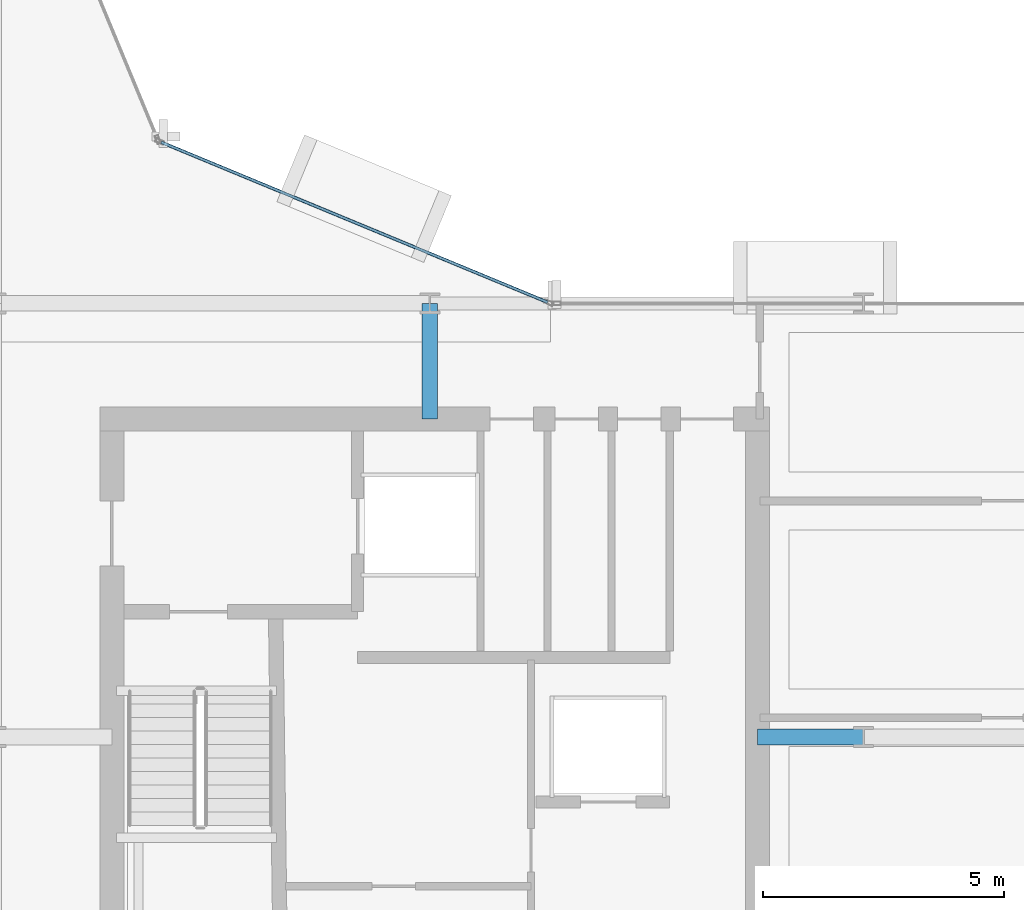
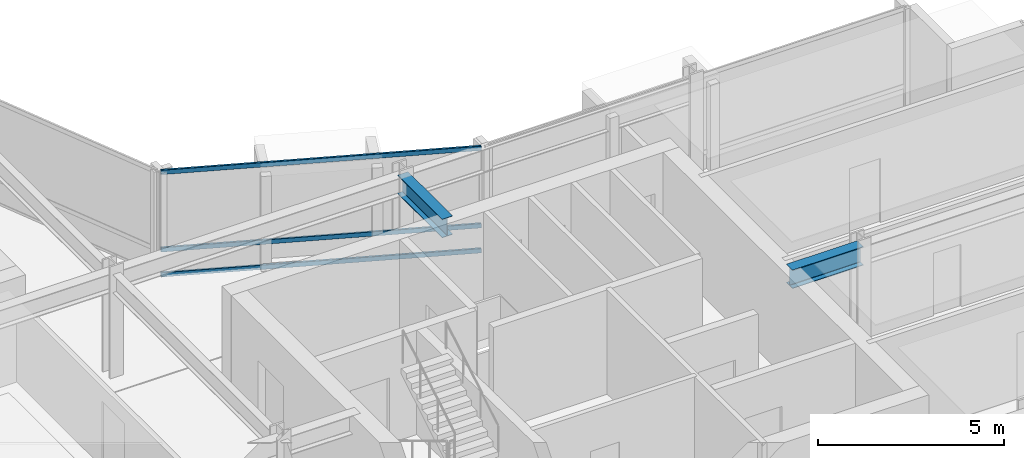
# One storey, part 12 of 29: 3 members, 2 beams, 1 element without a shape of its own.
"""IFC4 building model written with IfcOpenShell, lengths in metres."""

import ifcopenshell
import ifcopenshell.guid

model = None  # the IFC model being written
_history = None  # IfcOwnerHistory: only IFC2X3 demands one
_inside = {}  # id of a spatial element -> (the spatial element, [elements in it])
_under = {}  # id of a project, library or spatial element -> (it, [spatial elements below it])
_declared = {}  # id of a project -> (the project, [libraries it declares])
_typed = {}  # id of a type object -> (the type object, [elements of that type])
_made_of = {}  # id of a material, layer set ... -> (it, [elements and type objects made of it])


def new_model(schema):
    """Start an empty IFC model of exactly this schema.

    Asked for "IFC4X3", IfcOpenShell would pick the latest addendum, in which some entities
    have other attributes; the version numbers below select the first issue.
    IFC2X3 requires an IfcOwnerHistory on every rooted entity: one is made here for all.
    """
    global model, _history
    if schema == "IFC4X3":
        model = ifcopenshell.file(schema_version=(4, 3, 0, 0))
    else:
        model = ifcopenshell.file(schema=schema)
    _inside.clear()
    _under.clear()
    _declared.clear()
    _typed.clear()
    _made_of.clear()
    _history = None
    if model.schema == "IFC2X3":
        org = make("IfcOrganization", Name="unknown")
        user = make(
            "IfcPersonAndOrganization",
            ThePerson=make("IfcPerson", FamilyName="unknown"),
            TheOrganization=org,
        )
        app = make(
            "IfcApplication",
            ApplicationDeveloper=org,
            Version="unknown",
            ApplicationFullName="unknown",
            ApplicationIdentifier="unknown",
        )
        _history = make(
            "IfcOwnerHistory",
            OwningUser=user,
            OwningApplication=app,
            ChangeAction="ADDED",
            CreationDate=0,
        )
    return model


def make(cls, **values):
    """One entity of the class cls with the attributes given. An attribute that is None is left unset."""
    return model.create_entity(
        cls, **{name: value for name, value in values.items() if value is not None}
    )


def rooted(cls, **values):
    """An entity with a GlobalId (a new one), such as an element, a storey or a relation."""
    return make(cls, GlobalId=ifcopenshell.guid.new(), OwnerHistory=_history, **values)


def si_unit(unit_type, name, prefix=None):
    """IfcSIUnit, for example si_unit("LENGTHUNIT", "METRE", prefix="MILLI")."""
    return make("IfcSIUnit", UnitType=unit_type, Prefix=prefix, Name=name)


def assignment(units):
    """IfcUnitAssignment: the units of a project."""
    return None if units is None else make("IfcUnitAssignment", Units=units)


def point(xyz):
    """IfcCartesianPoint."""
    return None if xyz is None else make("IfcCartesianPoint", Coordinates=xyz)


def direction(xyz):
    """IfcDirection."""
    return None if xyz is None else make("IfcDirection", DirectionRatios=xyz)


def frame(location, z_axis=None, x_axis=None):
    """IfcAxis2Placement3D, a coordinate frame: its origin and axes. An axis left out is left unset."""
    return make(
        "IfcAxis2Placement3D",
        Location=point(location),
        Axis=direction(z_axis),
        RefDirection=direction(x_axis),
    )


def frame_2d(location, x_axis=None):
    """IfcAxis2Placement2D, a coordinate frame in the plane: its origin and x axis."""
    return make(
        "IfcAxis2Placement2D", Location=point(location), RefDirection=direction(x_axis)
    )


def origin():
    """The frame at (0, 0, 0) with its axes left unset."""
    return frame((0.0, 0.0, 0.0))


def origin_2d():
    """The frame at (0, 0) in the plane with its x axis left unset."""
    return frame_2d((0.0, 0.0))


def place(relative_to, where):
    """IfcLocalPlacement: puts the frame where relative to a parent placement (None: the world)."""
    return make(
        "IfcLocalPlacement", PlacementRelTo=relative_to, RelativePlacement=where
    )


def context(
    kind, dimensions, precision=None, world=None, true_north=None, identifier=None
):
    """IfcGeometricRepresentationContext, for example the 3D "Model" context."""
    return make(
        "IfcGeometricRepresentationContext",
        ContextIdentifier=identifier,
        ContextType=kind,
        CoordinateSpaceDimension=dimensions,
        Precision=precision,
        WorldCoordinateSystem=world,
        TrueNorth=true_north,
    )


def subcontext(parent, identifier, kind, view, scale=None):
    """IfcGeometricRepresentationSubContext, for example "Body" below "Model"."""
    return make(
        "IfcGeometricRepresentationSubContext",
        ContextIdentifier=identifier,
        ContextType=kind,
        ParentContext=parent,
        TargetScale=scale,
        TargetView=view,
    )


def project(units=None, contexts=None):
    """IfcProject with its units and contexts."""
    return rooted(
        "IfcProject",
        Name="project",
        RepresentationContexts=contexts,
        UnitsInContext=assignment(units),
    )


def spatial(cls, under=None, at=None, **own):
    """A site, building, storey or space (cls), placed at a placement, below another one or the project."""
    s = rooted(cls, ObjectPlacement=at, **own)
    if under is not None:
        _under.setdefault(under.id(), (under, []))[1].append(s)
    return s


def profile(cls, at=None, kind="AREA", **sizes):
    """A parametric profile (cls). Its sizes go by their IFC names, for example OverallWidth=200.0."""
    return make(cls, ProfileType=kind, Position=at, **sizes)


def hollow_rectangle(**sizes):
    """IfcRectangleHollowProfileDef."""
    return profile("IfcRectangleHollowProfileDef", **sizes)


def i_section(**sizes):
    """IfcIShapeProfileDef."""
    return profile("IfcIShapeProfileDef", **sizes)


def extrude(swept, where, along, depth):
    """IfcExtrudedAreaSolid: the profile swept, set in the frame where, extruded along a direction by depth."""
    return make(
        "IfcExtrudedAreaSolid",
        SweptArea=swept,
        Position=where,
        ExtrudedDirection=direction(along),
        Depth=depth,
    )


def shape(context_of_items, identifier, shape_type, items):
    """IfcShapeRepresentation: the items that make up one representation, for example the "Body"."""
    return make(
        "IfcShapeRepresentation",
        ContextOfItems=context_of_items,
        RepresentationIdentifier=identifier,
        RepresentationType=shape_type,
        Items=items,
    )


def material(Name=None, Category=None):
    """IfcMaterial."""
    return make("IfcMaterial", Name=Name, Category=Category)


def layer(
    of_material, thickness, ventilated=None, Name=None, Category=None, Priority=None
):
    """IfcMaterialLayer: one layer of a wall or slab, of a material (None: an air gap)."""
    return make(
        "IfcMaterialLayer",
        Material=of_material,
        LayerThickness=thickness,
        IsVentilated=ventilated,
        Name=Name,
        Category=Category,
        Priority=Priority,
    )


def layer_set(layers, Name=None):
    """IfcMaterialLayerSet."""
    return make("IfcMaterialLayerSet", MaterialLayers=layers, LayerSetName=Name)


def material_profile(
    of_material, cross_section, Name=None, Category=None, Priority=None
):
    """IfcMaterialProfile: a cross section and its material."""
    return make(
        "IfcMaterialProfile",
        Name=Name,
        Material=of_material,
        Profile=cross_section,
        Priority=Priority,
        Category=Category,
    )


def profile_set(profiles, Name=None, composite=None):
    """IfcMaterialProfileSet."""
    return make(
        "IfcMaterialProfileSet",
        Name=Name,
        MaterialProfiles=profiles,
        CompositeProfile=composite,
    )


def made_of(thing, what):
    """Note that an element or type object is made of a material, layer set ...; save() writes the relation."""
    if what is not None:
        _made_of.setdefault(what.id(), (what, []))[1].append(thing)
    return thing


def type_object(cls, material=None, **own):
    """A type object (cls), such as IfcWallType, which elements share."""
    return made_of(rooted(cls, **own), material)


def element(
    cls,
    number,
    at=None,
    inside=None,
    cuts=None,
    type_object=None,
    material=None,
    context=None,
    identifier="Body",
    shape_type=None,
    held_by="IfcProductDefinitionShape",
    body=None,
    shapes=None,
    **own,
):
    """One element of the class cls, such as IfcWall. Its Tag is "e" and its number.

    at: its placement. inside: the storey or other place that contains it. cuts: it is an
    opening in that element (IfcRelVoidsElement). A single representation is given by context,
    identifier, shape_type and body (its items); several are given by shapes. held_by: the class
    of the entity that holds the representations. save() writes the other relations.
    """
    e = rooted(cls, Tag="e%d" % number, ObjectPlacement=at, **own)
    if body is not None:
        shapes = [shape(context, identifier, shape_type, body)]
    if shapes is not None:
        e.Representation = make(held_by, Representations=shapes)
    if inside is not None:
        _inside.setdefault(inside.id(), (inside, []))[1].append(e)
    if cuts is not None:
        rooted(
            "IfcRelVoidsElement", RelatingBuildingElement=cuts, RelatedOpeningElement=e
        )
    if type_object is not None:
        _typed.setdefault(type_object.id(), (type_object, []))[1].append(e)
    return made_of(e, material)


def aggregate(whole, parts):
    """IfcRelAggregates: a whole, such as a stair, and the parts it consists of."""
    return rooted("IfcRelAggregates", RelatingObject=whole, RelatedObjects=parts)


def save(model, path):
    """Write the relations noted so far, then the file.

    IfcRelAggregates (storeys below a building ...), IfcRelContainedInSpatialStructure (elements
    in a storey), IfcRelDefinesByType, IfcRelAssociatesMaterial and IfcRelDeclares: one each for
    every whole, place, type object, material and project.
    """
    for whole, parts in _under.values():
        aggregate(whole, parts)
    for where, things in _inside.values():
        rooted(
            "IfcRelContainedInSpatialStructure",
            RelatedElements=things,
            RelatingStructure=where,
        )
    for kind, things in _typed.values():
        rooted("IfcRelDefinesByType", RelatedObjects=things, RelatingType=kind)
    for what, things in _made_of.values():
        rooted("IfcRelAssociatesMaterial", RelatedObjects=things, RelatingMaterial=what)
    for by, libraries in _declared.values():
        rooted("IfcRelDeclares", RelatingContext=by, RelatedDefinitions=libraries)
    model.write(path)


model = new_model("IFC4")

# Units and contexts
model_context = context("Model", 3, precision=1e-05, world=origin(), true_north=direction((0.0, 1.0)))
body_context = subcontext(model_context, "Body", "Model", "MODEL_VIEW")
ifc_project = project(units=[si_unit("LENGTHUNIT", "METRE"), si_unit("AREAUNIT", "SQUARE_METRE"), si_unit("VOLUMEUNIT", "CUBIC_METRE"), si_unit("PLANEANGLEUNIT", "RADIAN"), si_unit("MASSUNIT", "GRAM", prefix="KILO")], contexts=[model_context])

# Site, building, storey
site_placement = place(None, origin())
site = spatial("IfcSite", under=ifc_project, at=site_placement, CompositionType="ELEMENT")
building_placement = place(site_placement, origin())
building = spatial("IfcBuilding", under=site, at=building_placement, Name="Solvaryn Broadcast Tower", CompositionType="ELEMENT")
storey_placement = place(building_placement, frame((0.0, 0.0, 147.0)))
storey = spatial("IfcBuildingStorey", under=building, at=storey_placement, Name="L36", CompositionType="ELEMENT", Elevation=147.0)

# Beams
ifc_material_1 = material(Name="Steel ASTM A992 Grade 50", Category="steel")
ifc_material_profile_1 = material_profile(ifc_material_1, i_section(OverallWidth=0.323974609375, OverallDepth=0.611083984375, WebThickness=0.0126953125, FlangeThickness=0.01904296875, FilletRadius=0.014892578125, at=origin_2d()))
ifc_profile_set_1 = profile_set([ifc_material_profile_1], Name="Steel ASTM A992 Grade 50")
beam_type = type_object("IfcBeamType", Name="BM-B1-W24X104", PredefinedType="BEAM", material=ifc_profile_set_1)
beam_1_placement = place(storey_placement, frame((36.0, 24.60009765625, 3.114501953125), z_axis=(0.0, 1.0, 0.0), x_axis=(-1.0, 0.0, 0.0)))
element("IfcBeam", 1, at=beam_1_placement, inside=storey, type_object=beam_type, Name="L36 Core Tie Beam CTE2", PredefinedType="BEAM", context=body_context, shape_type="SweptSolid", body=[
    extrude(i_section(OverallWidth=0.323974609375, OverallDepth=0.611083984375, WebThickness=0.0126953125, FlangeThickness=0.01904296875, FilletRadius=0.014892578125, at=origin_2d()), origin(), (0.0, 0.0, 1.0), 2.39990234375),
])
beam_2_placement = place(storey_placement, frame((42.800048828125, 18.0, 3.114501953125), z_axis=(1.0, 0.0, 0.0), x_axis=(0.0, 1.0, 0.0)))
element("IfcBeam", 2, at=beam_2_placement, inside=storey, type_object=beam_type, Name="L36 Core Tie Beam CTE3", PredefinedType="BEAM", context=body_context, shape_type="SweptSolid", body=[
    extrude(i_section(OverallWidth=0.323974609375, OverallDepth=0.611083984375, WebThickness=0.0126953125, FlangeThickness=0.01904296875, FilletRadius=0.014892578125, at=origin_2d()), origin(), (0.0, 0.0, 1.0), 2.199951171875),
])

# Curtain wall, members
ifc_material_2 = material(Name="Aluminium and Terracotta Unitised Curtain Wall", Category="masonry")
ifc_layer = layer(ifc_material_2, 0.199951171875)
ifc_layer_set = layer_set([ifc_layer], Name="CW-SYS2-LOWMID")
curtain_wall_type = type_object("IfcCurtainWallType", Name="CW-SYS2-LOWMID", PredefinedType="NOTDEFINED", material=ifc_layer_set)
curtain_wall_placement = place(storey_placement, origin())
curtain_wall = element("IfcCurtainWall", 3, at=curtain_wall_placement, inside=storey, type_object=curtain_wall_type, Name="L36 Curtain Wall CN1", PredefinedType="NOTDEFINED")
ifc_material_3 = material(Name="Anodised Aluminium 6063-T6", Category="aluminium")
ifc_material_profile_2 = material_profile(ifc_material_3, hollow_rectangle(XDim=0.06494140625, YDim=0.14990234375, WallThickness=0.00390625, InnerFilletRadius=0.00390625, OuterFilletRadius=0.008056640625, at=origin_2d()))
ifc_profile_set_2 = profile_set([ifc_material_profile_2], Name="Anodised Aluminium 6063-T6")
member_type = type_object("IfcMemberType", Name="CW-TRN-150", PredefinedType="USERDEFINED", material=ifc_profile_set_2)
member_1_placement = place(storey_placement, frame((38.444580078125, 27.02294921875, 0.030029296875), z_axis=(-0.923899282177, 0.382635748975, 0.0), x_axis=(-0.382635748975, -0.923899282177, 0.0)))
member_1 = element("IfcMember", 4, at=member_1_placement, type_object=member_type, Name="CWS2 transom 1.1", ObjectType="TRANSOM", PredefinedType="USERDEFINED", context=body_context, shape_type="SweptSolid", body=[
    extrude(hollow_rectangle(XDim=0.06494140625, YDim=0.14990234375, WallThickness=0.00390625, InnerFilletRadius=0.00390625, OuterFilletRadius=0.008056640625, at=origin_2d()), origin(), (0.0, 0.0, 1.0), 8.681884765625),
])
member_2_placement = place(storey_placement, frame((38.444580078125, 27.02294921875, 0.85009765625), z_axis=(-0.923899282177, 0.382635748975, 0.0), x_axis=(-0.382635748975, -0.923899282177, 0.0)))
member_2 = element("IfcMember", 5, at=member_2_placement, type_object=member_type, Name="CWS2 transom 1.2", ObjectType="TRANSOM", PredefinedType="USERDEFINED", context=body_context, shape_type="SweptSolid", body=[
    extrude(hollow_rectangle(XDim=0.06494140625, YDim=0.14990234375, WallThickness=0.00390625, InnerFilletRadius=0.00390625, OuterFilletRadius=0.008056640625, at=origin_2d()), origin(), (0.0, 0.0, 1.0), 8.681884765625),
])
member_3_placement = place(storey_placement, frame((38.444580078125, 27.02294921875, 3.389892578125), z_axis=(-0.923899282177, 0.382635748975, 0.0), x_axis=(-0.382635748975, -0.923899282177, 0.0)))
member_3 = element("IfcMember", 6, at=member_3_placement, type_object=member_type, Name="CWS2 transom 1.3", ObjectType="TRANSOM", PredefinedType="USERDEFINED", context=body_context, shape_type="SweptSolid", body=[
    extrude(hollow_rectangle(XDim=0.06494140625, YDim=0.14990234375, WallThickness=0.00390625, InnerFilletRadius=0.00390625, OuterFilletRadius=0.008056640625, at=origin_2d()), origin(), (0.0, 0.0, 1.0), 8.681884765625),
])
aggregate(curtain_wall, [member_1, member_2, member_3])

save(model, "model.ifc")
